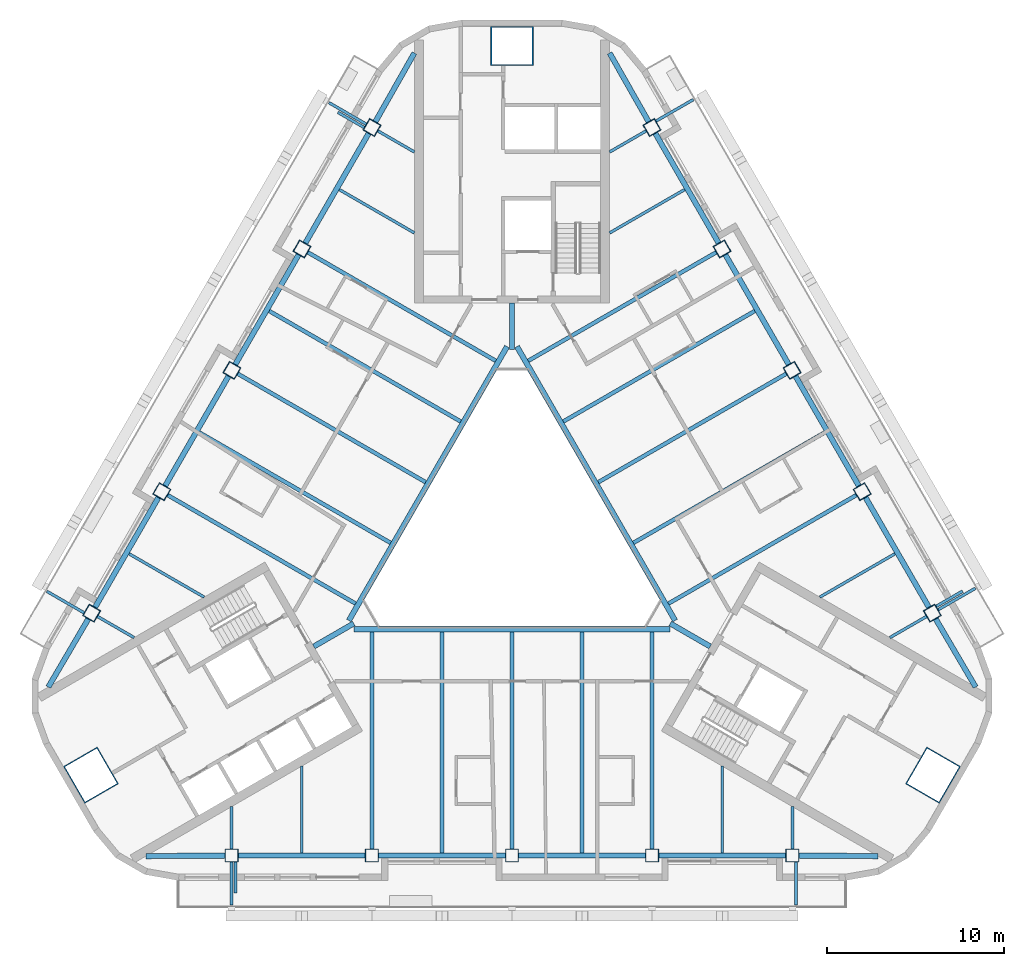
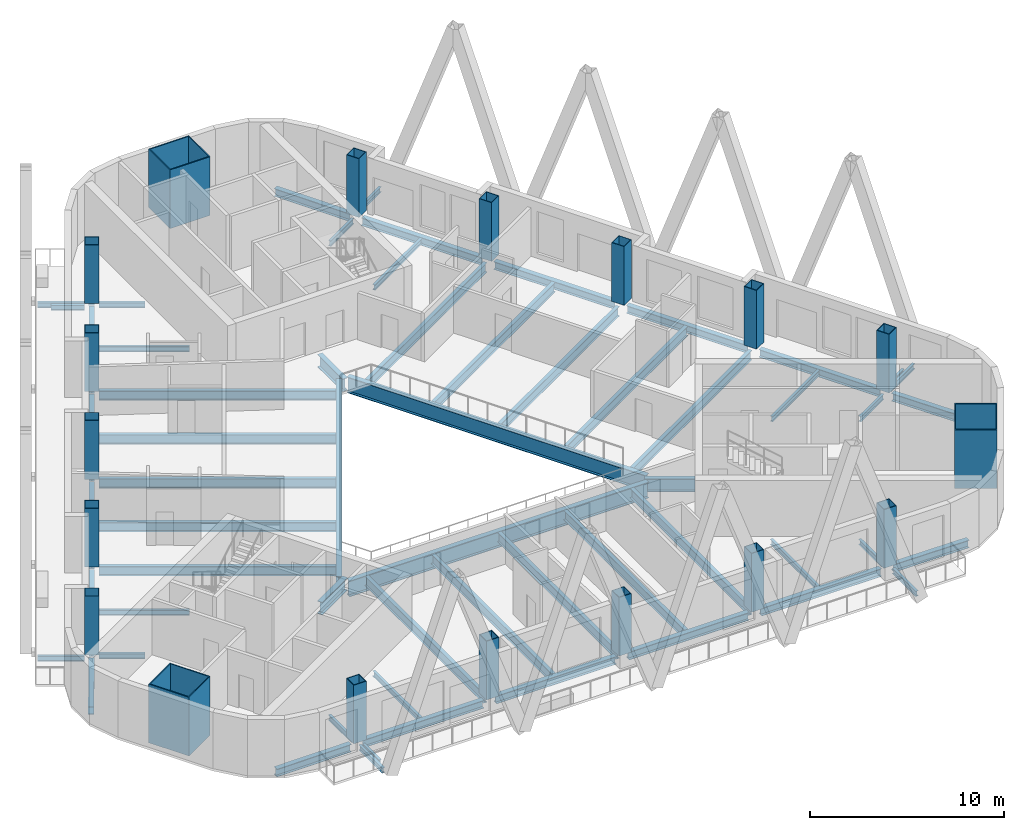
# One storey, part 1 of 13: 60 beams, 18 columns.
"""IFC4 building model written with IfcOpenShell, lengths in metres."""

from ifc_helpers import new_model, si_unit, direction, frame, origin, origin_2d, place, context, subcontext, project, spatial, rectangle, hollow_rectangle, i_section, extrude, material, material_profile, profile_set, type_object, element, save


model = new_model("IFC4")

# Units and contexts
model_context = context("Model", 3, precision=1e-05, world=origin(), true_north=direction((0.0, 1.0)))
body_context = subcontext(model_context, "Body", "Model", "MODEL_VIEW")
ifc_project = project(units=[si_unit("LENGTHUNIT", "METRE"), si_unit("AREAUNIT", "SQUARE_METRE"), si_unit("VOLUMEUNIT", "CUBIC_METRE"), si_unit("PLANEANGLEUNIT", "RADIAN"), si_unit("MASSUNIT", "GRAM", prefix="KILO")], contexts=[model_context])

# Site, building, storey
site_placement = place(None, origin())
site = spatial("IfcSite", under=ifc_project, at=site_placement, CompositionType="ELEMENT")
building_placement = place(site_placement, origin())
building = spatial("IfcBuilding", under=site, at=building_placement, Name="Apuvela Tower Hotel", CompositionType="ELEMENT")
storey_placement = place(building_placement, frame((0.0, 0.0, 191.0)))
storey = spatial("IfcBuildingStorey", under=building, at=storey_placement, Name="L46", CompositionType="ELEMENT", Elevation=191.0)

# Columns
ifc_material_1 = material(Name="Steel S460", Category="steel")
ifc_material_profile_1 = material_profile(ifc_material_1, hollow_rectangle(XDim=2.39990234375, YDim=2.199951171875, WallThickness=0.06005859375, at=origin_2d()), Name="BOX 2400x2200x60")
ifc_material_2 = material(Name="Concrete C80/95", Category="concrete")
ifc_material_profile_2 = material_profile(ifc_material_2, rectangle(XDim=2.280029296875, YDim=2.080078125, at=origin_2d()), Name="Concrete C80/95 infill")
ifc_profile_set_1 = profile_set([ifc_material_profile_1, ifc_material_profile_2], Name="Steel S460")
column_type_1 = type_object("IfcColumnType", Name="STR-MC mega column BOX 2400x2200x60", PredefinedType="COLUMN", material=ifc_profile_set_1)
for number, where, z_axis, x_axis, name in (
    (1, (0.0, 27.39990234375, 0.0), (0.0, 0.0, 1.0), (1.0, 0.0, 0.0), "Mega column MC3 N"),
    (2, (-23.72900390625, -13.699951171875, 0.0), (0.0, 0.0, 1.0), (-0.5, 0.866025403784, 0.0), "Mega column MC3 SW"),
    (3, (23.72900390625, -13.699951171875, 0.0), (0.0, 0.0, 1.0), (0.5, 0.866025403784, 0.0), "Mega column MC3 SE"),
):
    element("IfcColumn", number, at=place(storey_placement, frame(where, z_axis=z_axis, x_axis=x_axis)), inside=storey, type_object=column_type_1, Name=name, PredefinedType="COLUMN", context=body_context, shape_type="SweptSolid", body=[
        extrude(hollow_rectangle(XDim=2.39990234375, YDim=2.199951171875, WallThickness=0.06005859375, at=origin_2d()), origin(), (0.0, 0.0, 1.0), 3.699951171875),
    ])
ifc_material_profile_3 = material_profile(ifc_material_1, hollow_rectangle(XDim=0.75, YDim=0.75, WallThickness=0.034912109375, at=origin_2d()), Name="BOX 750x750x35")
ifc_material_profile_4 = material_profile(ifc_material_2, rectangle(XDim=0.679931640625, YDim=0.679931640625, at=origin_2d()), Name="Concrete C80/95 infill")
ifc_profile_set_2 = profile_set([ifc_material_profile_3, ifc_material_profile_4], Name="Steel S460")
column_type_2 = type_object("IfcColumnType", Name="STR-PC perimeter column BOX 750x750x35", PredefinedType="COLUMN", material=ifc_profile_set_2)
for number, where, z_axis, x_axis, name in (
    (4, (-15.800048828125, -18.22998046875, 0.0), (0.0, 0.0, 1.0), (-1.0, 0.0, 0.0), "Perimeter column C5 S1"),
    (5, (-7.89990234375, -18.22998046875, 0.0), (0.0, 0.0, 1.0), (-1.0, 0.0, 0.0), "Perimeter column C5 S2"),
    (6, (0.0, -18.22998046875, 0.0), (0.0, 0.0, 1.0), (-1.0, 0.0, 0.0), "Perimeter column C5 S3"),
    (7, (7.89990234375, -18.22998046875, 0.0), (0.0, 0.0, 1.0), (-1.0, 0.0, 0.0), "Perimeter column C5 S4"),
    (8, (15.800048828125, -18.22998046875, 0.0), (0.0, 0.0, 1.0), (-1.0, 0.0, 0.0), "Perimeter column C5 S5"),
    (9, (23.6875, -4.568115234375, 0.0), (0.0, 0.0, 1.0), (-0.5, 0.866025403784, 0.0), "Perimeter column C5 NE1"),
    (10, (19.737548828125, 2.2734375, 0.0), (0.0, 0.0, 1.0), (-0.5, 0.866025403784, 0.0), "Perimeter column C5 NE2"),
    (11, (15.78759765625, 9.114990234375, 0.0), (0.0, 0.0, 1.0), (-0.5, 0.866025403784, 0.0), "Perimeter column C5 NE3"),
    (12, (11.837646484375, 15.95654296875, 0.0), (0.0, 0.0, 1.0), (-0.5, 0.866025403784, 0.0), "Perimeter column C5 NE4"),
    (13, (7.8876953125, 22.798095703125, 0.0), (0.0, 0.0, 1.0), (-0.5, 0.866025403784, 0.0), "Perimeter column C5 NE5"),
    (14, (-7.8876953125, 22.798095703125, 0.0), (0.0, 0.0, 1.0), (0.5, 0.866025403784, 0.0), "Perimeter column C5 NW1"),
    (15, (-11.837646484375, 15.95654296875, 0.0), (0.0, 0.0, 1.0), (0.5, 0.866025403784, 0.0), "Perimeter column C5 NW2"),
    (16, (-15.78759765625, 9.114990234375, 0.0), (0.0, 0.0, 1.0), (0.5, 0.866025403784, 0.0), "Perimeter column C5 NW3"),
    (17, (-19.737548828125, 2.2734375, 0.0), (0.0, 0.0, 1.0), (0.5, 0.866025403784, 0.0), "Perimeter column C5 NW4"),
    (18, (-23.6875, -4.568115234375, 0.0), (0.0, 0.0, 1.0), (0.5, 0.866025403784, 0.0), "Perimeter column C5 NW5"),
):
    element("IfcColumn", number, at=place(storey_placement, frame(where, z_axis=z_axis, x_axis=x_axis)), inside=storey, type_object=column_type_2, Name=name, PredefinedType="COLUMN", context=body_context, shape_type="SweptSolid", body=[
        extrude(hollow_rectangle(XDim=0.75, YDim=0.75, WallThickness=0.034912109375, at=origin_2d()), origin(), (0.0, 0.0, 1.0), 3.699951171875),
    ])

# Beams
ifc_material_3 = material(Name="Steel S355", Category="steel")
ifc_material_profile_5 = material_profile(ifc_material_3, i_section(OverallWidth=0.159912109375, OverallDepth=0.330078125, WebThickness=0.007568359375, FlangeThickness=0.011474609375, at=origin_2d()), Name="IPE 330")
ifc_profile_set_3 = profile_set([ifc_material_profile_5], Name="Steel S355")
beam_type_1 = type_object("IfcBeamType", Name="ENV-BALCONY-BEAM-IPE330", PredefinedType="BEAM", material=ifc_profile_set_3)
beam_1_placement = place(storey_placement, frame((-15.800048828125, -18.60498046875, -0.31494140625), z_axis=(0.0, -1.0, 0.0), x_axis=(1.0, 0.0, 0.0)))
element("IfcBeam", 19, at=beam_1_placement, inside=storey, type_object=beam_type_1, Name="Balcony cantilever beam S1 L46", PredefinedType="BEAM", context=body_context, shape_type="SweptSolid", body=[
    extrude(i_section(OverallWidth=0.159912109375, OverallDepth=0.330078125, WebThickness=0.007568359375, FlangeThickness=0.011474609375, at=origin_2d()), origin(), (0.0, 0.0, 1.0), 2.425048828125),
])
beam_2_placement = place(storey_placement, frame((-15.580078125, -18.60498046875, -0.31494140625), z_axis=(0.0, -1.0, 0.0), x_axis=(1.0, 0.0, 0.0)))
element("IfcBeam", 20, at=beam_2_placement, inside=storey, type_object=beam_type_1, Name="Balcony cantilever beam S2 L46", PredefinedType="BEAM", context=body_context, shape_type="SweptSolid", body=[
    extrude(i_section(OverallWidth=0.159912109375, OverallDepth=0.330078125, WebThickness=0.007568359375, FlangeThickness=0.011474609375, at=origin_2d()), origin(), (0.0, 0.0, 1.0), 1.72509765625),
])
for number, where, z_axis, x_axis, name in (
    (21, (16.0, -18.60498046875, -0.31494140625), (0.0, -1.0, 0.0), (1.0, 0.0, 0.0), "Balcony cantilever beam S3 L46"),
    (22, (24.012451171875, -4.380615234375, -0.31494140625), (0.866041403502, 0.499972286653, 0.0), (-0.499972286653, 0.866041403502, 0.0), "Balcony cantilever beam NE1 L46"),
):
    element("IfcBeam", number, at=place(storey_placement, frame(where, z_axis=z_axis, x_axis=x_axis)), inside=storey, type_object=beam_type_1, Name=name, PredefinedType="BEAM", context=body_context, shape_type="SweptSolid", body=[
        extrude(i_section(OverallWidth=0.159912109375, OverallDepth=0.330078125, WebThickness=0.007568359375, FlangeThickness=0.011474609375, at=origin_2d()), origin(), (0.0, 0.0, 1.0), 2.425048828125),
    ])
beam_3_placement = place(storey_placement, frame((23.90234375, -4.190185546875, -0.31494140625), z_axis=(0.866013532718, 0.500020560727, 0.0), x_axis=(-0.500020560727, 0.866013532718, 0.0)))
element("IfcBeam", 23, at=beam_3_placement, inside=storey, type_object=beam_type_1, Name="Balcony cantilever beam NE2 L46", PredefinedType="BEAM", context=body_context, shape_type="SweptSolid", body=[
    extrude(i_section(OverallWidth=0.159912109375, OverallDepth=0.330078125, WebThickness=0.007568359375, FlangeThickness=0.011474609375, at=origin_2d()), origin(), (0.0, 0.0, 1.0), 1.72509765625),
])
for number, where, z_axis, x_axis, name in (
    (24, (8.1123046875, 23.158935546875, -0.31494140625), (0.866041403502, 0.499972286653, 0.0), (-0.499972286653, 0.866041403502, 0.0), "Balcony cantilever beam NE3 L46"),
    (25, (-8.21240234375, 22.985595703125, -0.31494140625), (-0.865997808697, 0.500047793048, 0.0), (-0.500047793048, -0.865997808697, 0.0), "Balcony cantilever beam NW1 L46"),
):
    element("IfcBeam", number, at=place(storey_placement, frame(where, z_axis=z_axis, x_axis=x_axis)), inside=storey, type_object=beam_type_1, Name=name, PredefinedType="BEAM", context=body_context, shape_type="SweptSolid", body=[
        extrude(i_section(OverallWidth=0.159912109375, OverallDepth=0.330078125, WebThickness=0.007568359375, FlangeThickness=0.011474609375, at=origin_2d()), origin(), (0.0, 0.0, 1.0), 2.425048828125),
    ])
beam_4_placement = place(storey_placement, frame((-8.322509765625, 22.795166015625, -0.31494140625), z_axis=(-0.866013532718, 0.500020560727, 0.0), x_axis=(-0.500020560727, -0.866013532718, 0.0)))
element("IfcBeam", 26, at=beam_4_placement, inside=storey, type_object=beam_type_1, Name="Balcony cantilever beam NW2 L46", PredefinedType="BEAM", context=body_context, shape_type="SweptSolid", body=[
    extrude(i_section(OverallWidth=0.159912109375, OverallDepth=0.330078125, WebThickness=0.007568359375, FlangeThickness=0.011474609375, at=origin_2d()), origin(), (0.0, 0.0, 1.0), 1.72509765625),
])
beam_5_placement = place(storey_placement, frame((-24.1123046875, -4.553955078125, -0.31494140625), z_axis=(-0.865997808697, 0.500047793048, 0.0), x_axis=(-0.500047793048, -0.865997808697, 0.0)))
element("IfcBeam", 27, at=beam_5_placement, inside=storey, type_object=beam_type_1, Name="Balcony cantilever beam NW3 L46", PredefinedType="BEAM", context=body_context, shape_type="SweptSolid", body=[
    extrude(i_section(OverallWidth=0.159912109375, OverallDepth=0.330078125, WebThickness=0.007568359375, FlangeThickness=0.011474609375, at=origin_2d()), origin(), (0.0, 0.0, 1.0), 2.425048828125),
])
ifc_material_profile_6 = material_profile(ifc_material_3, i_section(OverallWidth=0.159912109375, OverallDepth=0.330078125, WebThickness=0.007568359375, FlangeThickness=0.011474609375, at=origin_2d()), Name="IPE 330")
ifc_profile_set_4 = profile_set([ifc_material_profile_6], Name="Steel S355")
beam_type_2 = type_object("IfcBeamType", Name="STR-B floor beam IPE 330", PredefinedType="BEAM", material=ifc_profile_set_4)
beam_6_placement = place(storey_placement, frame((23.36279296875, -4.755615234375, -0.31494140625), z_axis=(-0.865982457891, -0.500074377092, 0.0), x_axis=(0.500074377092, -0.865982457891, 0.0)))
element("IfcBeam", 28, at=beam_6_placement, inside=storey, type_object=beam_type_2, Name="Floor beam B1 NE1", PredefinedType="BEAM", context=body_context, shape_type="SweptSolid", body=[
    extrude(i_section(OverallWidth=0.159912109375, OverallDepth=0.330078125, WebThickness=0.007568359375, FlangeThickness=0.011474609375, at=origin_2d()), origin(), (0.0, 0.0, 1.0), 2.382080078125),
])
for number, where, z_axis, x_axis, name in (
    (29, (21.582763671875, -1.222412109375, -0.31494140625), (-0.866015056278, -0.500017921979, 0.0), (0.500017921979, -0.866015056278, 0.0), "Floor beam B1 NE2"),
    (30, (9.732666015625, 19.302490234375, -0.31494140625), (-0.866015056278, -0.500017921979, 0.0), (0.500017921979, -0.866015056278, 0.0), "Floor beam B1 NE8"),
):
    element("IfcBeam", number, at=place(storey_placement, frame(where, z_axis=z_axis, x_axis=x_axis)), inside=storey, type_object=beam_type_2, Name=name, PredefinedType="BEAM", context=body_context, shape_type="SweptSolid", body=[
        extrude(i_section(OverallWidth=0.159912109375, OverallDepth=0.330078125, WebThickness=0.007568359375, FlangeThickness=0.011474609375, at=origin_2d()), origin(), (0.0, 0.0, 1.0), 4.887451171875),
    ])
for number, where, z_axis, x_axis, name in (
    (31, (7.56298828125, 22.610595703125, -0.31494140625), (-0.866052464367, -0.499953126767, 0.0), (0.499953126767, -0.866052464367, 0.0), "Floor beam B1 NE9"),
    (32, (-7.56298828125, 22.610595703125, -0.31494140625), (0.866052464367, -0.499953126767, 0.0), (0.499953126767, 0.866052464367, 0.0), "Floor beam B1 NW1"),
):
    element("IfcBeam", number, at=place(storey_placement, frame(where, z_axis=z_axis, x_axis=x_axis)), inside=storey, type_object=beam_type_2, Name=name, PredefinedType="BEAM", context=body_context, shape_type="SweptSolid", body=[
        extrude(i_section(OverallWidth=0.159912109375, OverallDepth=0.330078125, WebThickness=0.007568359375, FlangeThickness=0.011474609375, at=origin_2d()), origin(), (0.0, 0.0, 1.0), 2.382080078125),
    ])
for number, where, z_axis, x_axis, name in (
    (33, (-9.732666015625, 19.302490234375, -0.31494140625), (0.866015056278, -0.500017921979, 0.0), (0.500017921979, 0.866015056278, 0.0), "Floor beam B1 NW2"),
    (34, (-21.582763671875, -1.222412109375, -0.31494140625), (0.866015056278, -0.500017921979, 0.0), (0.500017921979, 0.866015056278, 0.0), "Floor beam B1 NW8"),
):
    element("IfcBeam", number, at=place(storey_placement, frame(where, z_axis=z_axis, x_axis=x_axis)), inside=storey, type_object=beam_type_2, Name=name, PredefinedType="BEAM", context=body_context, shape_type="SweptSolid", body=[
        extrude(i_section(OverallWidth=0.159912109375, OverallDepth=0.330078125, WebThickness=0.007568359375, FlangeThickness=0.011474609375, at=origin_2d()), origin(), (0.0, 0.0, 1.0), 4.887451171875),
    ])
for number, where, z_axis, x_axis, name in (
    (35, (-23.36279296875, -4.755615234375, -0.31494140625), (0.865982457891, -0.500074377092, 0.0), (0.500074377092, 0.865982457891, 0.0), "Floor beam B1 NW9"),
    (36, (-15.800048828125, -17.85498046875, -0.31494140625), (0.0, 1.0, 0.0), (-1.0, 0.0, 0.0), "Floor beam B1 S1"),
):
    element("IfcBeam", number, at=place(storey_placement, frame(where, z_axis=z_axis, x_axis=x_axis)), inside=storey, type_object=beam_type_2, Name=name, PredefinedType="BEAM", context=body_context, shape_type="SweptSolid", body=[
        extrude(i_section(OverallWidth=0.159912109375, OverallDepth=0.330078125, WebThickness=0.007568359375, FlangeThickness=0.011474609375, at=origin_2d()), origin(), (0.0, 0.0, 1.0), 2.382080078125),
    ])
for number, where, z_axis, x_axis, name in (
    (37, (-11.85009765625, -18.080078125, -0.31494140625), (0.0, 1.0, 0.0), (-1.0, 0.0, 0.0), "Floor beam B1 S2"),
    (38, (11.85009765625, -18.080078125, -0.31494140625), (0.0, 1.0, 0.0), (-1.0, 0.0, 0.0), "Floor beam B1 S8"),
):
    element("IfcBeam", number, at=place(storey_placement, frame(where, z_axis=z_axis, x_axis=x_axis)), inside=storey, type_object=beam_type_2, Name=name, PredefinedType="BEAM", context=body_context, shape_type="SweptSolid", body=[
        extrude(i_section(OverallWidth=0.159912109375, OverallDepth=0.330078125, WebThickness=0.007568359375, FlangeThickness=0.011474609375, at=origin_2d()), origin(), (0.0, 0.0, 1.0), 4.8876953125),
    ])
beam_7_placement = place(storey_placement, frame((15.800048828125, -17.85498046875, -0.31494140625), z_axis=(0.0, 1.0, 0.0), x_axis=(-1.0, 0.0, 0.0)))
element("IfcBeam", 39, at=beam_7_placement, inside=storey, type_object=beam_type_2, Name="Floor beam B1 S9", PredefinedType="BEAM", context=body_context, shape_type="SweptSolid", body=[
    extrude(i_section(OverallWidth=0.159912109375, OverallDepth=0.330078125, WebThickness=0.007568359375, FlangeThickness=0.011474609375, at=origin_2d()), origin(), (0.0, 0.0, 1.0), 2.382080078125),
])
ifc_material_profile_7 = material_profile(ifc_material_3, i_section(OverallWidth=0.219970703125, OverallDepth=0.60009765625, WebThickness=0.011962890625, FlangeThickness=0.01904296875, at=origin_2d()), Name="IPE 600")
ifc_profile_set_5 = profile_set([ifc_material_profile_7], Name="Steel S355")
beam_type_3 = type_object("IfcBeamType", Name="STR-B floor beam IPE 600", PredefinedType="BEAM", material=ifc_profile_set_5)
beam_8_placement = place(storey_placement, frame((19.412841796875, 2.0859375, -0.449951171875), z_axis=(-0.866025418325, -0.499999974815, 0.0), x_axis=(0.499999974815, -0.866025418325, 0.0)))
element("IfcBeam", 40, at=beam_8_placement, inside=storey, type_object=beam_type_3, Name="Floor beam B8 NE3", PredefinedType="BEAM", context=body_context, shape_type="SweptSolid", body=[
    extrude(i_section(OverallWidth=0.219970703125, OverallDepth=0.60009765625, WebThickness=0.011962890625, FlangeThickness=0.01904296875, at=origin_2d()), origin(), (0.0, 0.0, 1.0), 12.23486328125),
])
beam_9_placement = place(storey_placement, frame((17.6328125, 5.619140625, -0.449951171875), z_axis=(-0.866027987673, -0.499995524547, 0.0), x_axis=(0.499995524547, -0.866027987673, 0.0)))
element("IfcBeam", 41, at=beam_9_placement, inside=storey, type_object=beam_type_3, Name="Floor beam B8 NE4", PredefinedType="BEAM", context=body_context, shape_type="SweptSolid", body=[
    extrude(i_section(OverallWidth=0.219970703125, OverallDepth=0.60009765625, WebThickness=0.011962890625, FlangeThickness=0.01904296875, at=origin_2d()), origin(), (0.0, 0.0, 1.0), 12.4599609375),
])
beam_10_placement = place(storey_placement, frame((15.462890625, 8.927490234375, -0.449951171875), z_axis=(-0.866025418325, -0.499999974815, 0.0), x_axis=(0.499999974815, -0.866025418325, 0.0)))
element("IfcBeam", 42, at=beam_10_placement, inside=storey, type_object=beam_type_3, Name="Floor beam B8 NE5", PredefinedType="BEAM", context=body_context, shape_type="SweptSolid", body=[
    extrude(i_section(OverallWidth=0.219970703125, OverallDepth=0.60009765625, WebThickness=0.011962890625, FlangeThickness=0.01904296875, at=origin_2d()), origin(), (0.0, 0.0, 1.0), 12.23486328125),
])
beam_11_placement = place(storey_placement, frame((13.6826171875, 12.460693359375, -0.449951171875), z_axis=(-0.866023089177, -0.500004008996, 0.0), x_axis=(0.500004008996, -0.866023089177, 0.0)))
element("IfcBeam", 43, at=beam_11_placement, inside=storey, type_object=beam_type_3, Name="Floor beam B8 NE6", PredefinedType="BEAM", context=body_context, shape_type="SweptSolid", body=[
    extrude(i_section(OverallWidth=0.219970703125, OverallDepth=0.60009765625, WebThickness=0.011962890625, FlangeThickness=0.01904296875, at=origin_2d()), origin(), (0.0, 0.0, 1.0), 12.4599609375),
])
for number, where, z_axis, x_axis, name in (
    (44, (11.512939453125, 15.76904296875, -0.449951171875), (-0.866030406821, -0.499991334387, 0.0), (0.499991334387, -0.866030406821, 0.0), "Floor beam B8 NE7"),
    (45, (-11.512939453125, 15.76904296875, -0.449951171875), (0.866030406821, -0.499991334387, 0.0), (0.499991334387, 0.866030406821, 0.0), "Floor beam B8 NW3"),
):
    element("IfcBeam", number, at=place(storey_placement, frame(where, z_axis=z_axis, x_axis=x_axis)), inside=storey, type_object=beam_type_3, Name=name, PredefinedType="BEAM", context=body_context, shape_type="SweptSolid", body=[
        extrude(i_section(OverallWidth=0.219970703125, OverallDepth=0.60009765625, WebThickness=0.011962890625, FlangeThickness=0.01904296875, at=origin_2d()), origin(), (0.0, 0.0, 1.0), 12.235107421875),
    ])
beam_12_placement = place(storey_placement, frame((-13.6826171875, 12.460693359375, -0.449951171875), z_axis=(0.866023089177, -0.500004008996, 0.0), x_axis=(0.500004008996, 0.866023089177, 0.0)))
element("IfcBeam", 46, at=beam_12_placement, inside=storey, type_object=beam_type_3, Name="Floor beam B8 NW4", PredefinedType="BEAM", context=body_context, shape_type="SweptSolid", body=[
    extrude(i_section(OverallWidth=0.219970703125, OverallDepth=0.60009765625, WebThickness=0.011962890625, FlangeThickness=0.01904296875, at=origin_2d()), origin(), (0.0, 0.0, 1.0), 12.4599609375),
])
beam_13_placement = place(storey_placement, frame((-15.462890625, 8.927490234375, -0.449951171875), z_axis=(0.866025418325, -0.499999974815, 0.0), x_axis=(0.499999974815, 0.866025418325, 0.0)))
element("IfcBeam", 47, at=beam_13_placement, inside=storey, type_object=beam_type_3, Name="Floor beam B8 NW5", PredefinedType="BEAM", context=body_context, shape_type="SweptSolid", body=[
    extrude(i_section(OverallWidth=0.219970703125, OverallDepth=0.60009765625, WebThickness=0.011962890625, FlangeThickness=0.01904296875, at=origin_2d()), origin(), (0.0, 0.0, 1.0), 12.23486328125),
])
beam_14_placement = place(storey_placement, frame((-17.6328125, 5.619140625, -0.449951171875), z_axis=(0.866027987673, -0.499995524547, 0.0), x_axis=(0.499995524547, 0.866027987673, 0.0)))
element("IfcBeam", 48, at=beam_14_placement, inside=storey, type_object=beam_type_3, Name="Floor beam B8 NW6", PredefinedType="BEAM", context=body_context, shape_type="SweptSolid", body=[
    extrude(i_section(OverallWidth=0.219970703125, OverallDepth=0.60009765625, WebThickness=0.011962890625, FlangeThickness=0.01904296875, at=origin_2d()), origin(), (0.0, 0.0, 1.0), 12.4599609375),
])
for number, where, z_axis, x_axis, name in (
    (49, (-19.412841796875, 2.0859375, -0.449951171875), (0.866025418325, -0.499999974815, 0.0), (0.499999974815, 0.866025418325, 0.0), "Floor beam B8 NW7"),
    (50, (-7.89990234375, -17.85498046875, -0.449951171875), (0.0, 1.0, 0.0), (-1.0, 0.0, 0.0), "Floor beam B8 S3"),
):
    element("IfcBeam", number, at=place(storey_placement, frame(where, z_axis=z_axis, x_axis=x_axis)), inside=storey, type_object=beam_type_3, Name=name, PredefinedType="BEAM", context=body_context, shape_type="SweptSolid", body=[
        extrude(i_section(OverallWidth=0.219970703125, OverallDepth=0.60009765625, WebThickness=0.011962890625, FlangeThickness=0.01904296875, at=origin_2d()), origin(), (0.0, 0.0, 1.0), 12.23486328125),
    ])
beam_15_placement = place(storey_placement, frame((-3.949951171875, -18.080078125, -0.449951171875), z_axis=(0.0, 1.0, 0.0), x_axis=(-1.0, 0.0, 0.0)))
element("IfcBeam", 51, at=beam_15_placement, inside=storey, type_object=beam_type_3, Name="Floor beam B8 S4", PredefinedType="BEAM", context=body_context, shape_type="SweptSolid", body=[
    extrude(i_section(OverallWidth=0.219970703125, OverallDepth=0.60009765625, WebThickness=0.011962890625, FlangeThickness=0.01904296875, at=origin_2d()), origin(), (0.0, 0.0, 1.0), 12.4599609375),
])
beam_16_placement = place(storey_placement, frame((0.0, -17.85498046875, -0.449951171875), z_axis=(0.0, 1.0, 0.0), x_axis=(-1.0, 0.0, 0.0)))
element("IfcBeam", 52, at=beam_16_placement, inside=storey, type_object=beam_type_3, Name="Floor beam B8 S5", PredefinedType="BEAM", context=body_context, shape_type="SweptSolid", body=[
    extrude(i_section(OverallWidth=0.219970703125, OverallDepth=0.60009765625, WebThickness=0.011962890625, FlangeThickness=0.01904296875, at=origin_2d()), origin(), (0.0, 0.0, 1.0), 12.23486328125),
])
beam_17_placement = place(storey_placement, frame((3.949951171875, -18.080078125, -0.449951171875), z_axis=(0.0, 1.0, 0.0), x_axis=(-1.0, 0.0, 0.0)))
element("IfcBeam", 53, at=beam_17_placement, inside=storey, type_object=beam_type_3, Name="Floor beam B8 S6", PredefinedType="BEAM", context=body_context, shape_type="SweptSolid", body=[
    extrude(i_section(OverallWidth=0.219970703125, OverallDepth=0.60009765625, WebThickness=0.011962890625, FlangeThickness=0.01904296875, at=origin_2d()), origin(), (0.0, 0.0, 1.0), 12.4599609375),
])
beam_18_placement = place(storey_placement, frame((7.89990234375, -17.85498046875, -0.449951171875), z_axis=(0.0, 1.0, 0.0), x_axis=(-1.0, 0.0, 0.0)))
element("IfcBeam", 54, at=beam_18_placement, inside=storey, type_object=beam_type_3, Name="Floor beam B8 S7", PredefinedType="BEAM", context=body_context, shape_type="SweptSolid", body=[
    extrude(i_section(OverallWidth=0.219970703125, OverallDepth=0.60009765625, WebThickness=0.011962890625, FlangeThickness=0.01904296875, at=origin_2d()), origin(), (0.0, 0.0, 1.0), 12.23486328125),
])
ifc_material_profile_8 = material_profile(ifc_material_3, i_section(OverallWidth=0.300048828125, OverallDepth=1.0, WebThickness=0.01904296875, FlangeThickness=0.035888671875, at=origin_2d()), Name="HE 1000 B")
ifc_profile_set_6 = profile_set([ifc_material_profile_8], Name="Steel S355")
beam_type_4 = type_object("IfcBeamType", Name="STR-G atrium ring girder HE 1000 B", PredefinedType="BEAM", material=ifc_profile_set_6)
beam_19_placement = place(storey_placement, frame((-0.27978515625, 10.455078125, -0.64990234375), z_axis=(-0.500006541319, -0.866021627119, 0.0), x_axis=(0.866021627119, -0.500006541319, 0.0)))
element("IfcBeam", 55, at=beam_19_placement, inside=storey, type_object=beam_type_4, Name="Atrium ring girder G2 N-SW", PredefinedType="BEAM", context=body_context, shape_type="SweptSolid", body=[
    extrude(i_section(OverallWidth=0.300048828125, OverallDepth=1.0, WebThickness=0.01904296875, FlangeThickness=0.035888671875, at=origin_2d()), origin(), (0.0, 0.0, 1.0), 17.828857421875),
])
beam_20_placement = place(storey_placement, frame((-8.91455078125, -5.469970703125, -0.64990234375), z_axis=(1.0, 0.0, 0.0), x_axis=(0.0, 1.0, 0.0)))
element("IfcBeam", 56, at=beam_20_placement, inside=storey, type_object=beam_type_4, Name="Atrium ring girder G2 SW-SE", PredefinedType="BEAM", context=body_context, shape_type="SweptSolid", body=[
    extrude(i_section(OverallWidth=0.300048828125, OverallDepth=1.0, WebThickness=0.01904296875, FlangeThickness=0.035888671875, at=origin_2d()), origin(), (0.0, 0.0, 1.0), 17.8291015625),
])
beam_21_placement = place(storey_placement, frame((9.1943359375, -4.985107421875, -0.64990234375), z_axis=(-0.500006541319, 0.866021627119, 0.0), x_axis=(-0.866021627119, -0.500006541319, 0.0)))
element("IfcBeam", 57, at=beam_21_placement, inside=storey, type_object=beam_type_4, Name="Atrium ring girder G2 SE-N", PredefinedType="BEAM", context=body_context, shape_type="SweptSolid", body=[
    extrude(i_section(OverallWidth=0.300048828125, OverallDepth=1.0, WebThickness=0.01904296875, FlangeThickness=0.035888671875, at=origin_2d()), origin(), (0.0, 0.0, 1.0), 17.828857421875),
])
ifc_material_profile_9 = material_profile(ifc_material_3, i_section(OverallWidth=0.300048828125, OverallDepth=0.800048828125, WebThickness=0.017578125, FlangeThickness=0.032958984375, at=origin_2d()), Name="HE 800 B")
ifc_profile_set_7 = profile_set([ifc_material_profile_9], Name="Steel S355")
beam_type_5 = type_object("IfcBeamType", Name="STR-GT core tie beam HE 800 B", PredefinedType="BEAM", material=ifc_profile_set_7)
for number, where, z_axis, x_axis, name in (
    (58, (0.0, 12.89990234375, -0.550048828125), (0.0, -1.0, 0.0), (1.0, 0.0, 0.0), "Core tie beam GT1 N"),
    (59, (-11.171630859375, -6.449951171875, -0.550048828125), (0.865997922154, 0.500047596559, 0.0), (-0.500047596559, 0.865997922154, 0.0), "Core tie beam GT1 SW"),
    (60, (11.171630859375, -6.449951171875, -0.550048828125), (-0.865997922154, 0.500047596559, 0.0), (-0.500047596559, -0.865997922154, 0.0), "Core tie beam GT1 SE"),
):
    element("IfcBeam", number, at=place(storey_placement, frame(where, z_axis=z_axis, x_axis=x_axis)), inside=storey, type_object=beam_type_5, Name=name, PredefinedType="BEAM", context=body_context, shape_type="SweptSolid", body=[
        extrude(i_section(OverallWidth=0.300048828125, OverallDepth=0.800048828125, WebThickness=0.017578125, FlangeThickness=0.032958984375, at=origin_2d()), origin(), (0.0, 0.0, 1.0), 2.599853515625),
    ])
ifc_material_profile_10 = material_profile(ifc_material_3, i_section(OverallWidth=0.300048828125, OverallDepth=0.489990234375, WebThickness=0.011962890625, FlangeThickness=0.02294921875, at=origin_2d()), Name="HE 500 A")
ifc_profile_set_8 = profile_set([ifc_material_profile_10], Name="Steel S355")
beam_type_6 = type_object("IfcBeamType", Name="STR-SB spandrel beam HE 500 A", PredefinedType="SPANDREL", material=ifc_profile_set_8)
beam_22_placement = place(storey_placement, frame((-15.425048828125, -18.22998046875, -0.39501953125), z_axis=(1.0, 0.0, 0.0), x_axis=(0.0, 1.0, 0.0)))
element("IfcBeam", 61, at=beam_22_placement, inside=storey, type_object=beam_type_6, Name="Spandrel beam SB3 S1", PredefinedType="SPANDREL", context=body_context, shape_type="SweptSolid", body=[
    extrude(i_section(OverallWidth=0.300048828125, OverallDepth=0.489990234375, WebThickness=0.011962890625, FlangeThickness=0.02294921875, at=origin_2d()), origin(), (0.0, 0.0, 1.0), 7.150146484375),
])
for number, where, z_axis, x_axis, name in (
    (62, (-7.52490234375, -18.22998046875, -0.39501953125), (1.0, 0.0, 0.0), (0.0, 1.0, 0.0), "Spandrel beam SB3 S2"),
    (63, (0.375, -18.22998046875, -0.39501953125), (1.0, 0.0, 0.0), (0.0, 1.0, 0.0), "Spandrel beam SB3 S3"),
):
    element("IfcBeam", number, at=place(storey_placement, frame(where, z_axis=z_axis, x_axis=x_axis)), inside=storey, type_object=beam_type_6, Name=name, PredefinedType="SPANDREL", context=body_context, shape_type="SweptSolid", body=[
        extrude(i_section(OverallWidth=0.300048828125, OverallDepth=0.489990234375, WebThickness=0.011962890625, FlangeThickness=0.02294921875, at=origin_2d()), origin(), (0.0, 0.0, 1.0), 7.14990234375),
    ])
beam_23_placement = place(storey_placement, frame((8.27490234375, -18.22998046875, -0.39501953125), z_axis=(1.0, 0.0, 0.0), x_axis=(0.0, 1.0, 0.0)))
element("IfcBeam", 64, at=beam_23_placement, inside=storey, type_object=beam_type_6, Name="Spandrel beam SB3 S4", PredefinedType="SPANDREL", context=body_context, shape_type="SweptSolid", body=[
    extrude(i_section(OverallWidth=0.300048828125, OverallDepth=0.489990234375, WebThickness=0.011962890625, FlangeThickness=0.02294921875, at=origin_2d()), origin(), (0.0, 0.0, 1.0), 7.150146484375),
])
beam_24_placement = place(storey_placement, frame((23.5, -4.243408203125, -0.39501953125), z_axis=(-0.500006209673, 0.866021818598, 0.0), x_axis=(-0.866021818598, -0.500006209673, 0.0)))
element("IfcBeam", 65, at=beam_24_placement, inside=storey, type_object=beam_type_6, Name="Spandrel beam SB3 NE1", PredefinedType="SPANDREL", context=body_context, shape_type="SweptSolid", body=[
    extrude(i_section(OverallWidth=0.300048828125, OverallDepth=0.489990234375, WebThickness=0.011962890625, FlangeThickness=0.02294921875, at=origin_2d()), origin(), (0.0, 0.0, 1.0), 7.14990234375),
])
for number, where, z_axis, x_axis, name in (
    (66, (19.550048828125, 2.59814453125, -0.39501953125), (-0.499991424076, 0.86603035504, 0.0), (-0.86603035504, -0.499991424076, 0.0), "Spandrel beam SB3 NE2"),
    (67, (15.60009765625, 9.439697265625, -0.39501953125), (-0.499991424076, 0.86603035504, 0.0), (-0.86603035504, -0.499991424076, 0.0), "Spandrel beam SB3 NE3"),
):
    element("IfcBeam", number, at=place(storey_placement, frame(where, z_axis=z_axis, x_axis=x_axis)), inside=storey, type_object=beam_type_6, Name=name, PredefinedType="SPANDREL", context=body_context, shape_type="SweptSolid", body=[
        extrude(i_section(OverallWidth=0.300048828125, OverallDepth=0.489990234375, WebThickness=0.011962890625, FlangeThickness=0.02294921875, at=origin_2d()), origin(), (0.0, 0.0, 1.0), 7.150146484375),
    ])
for number, where, z_axis, x_axis, name in (
    (68, (11.650146484375, 16.281494140625, -0.39501953125), (-0.500006209673, 0.866021818598, 0.0), (-0.866021818598, -0.500006209673, 0.0), "Spandrel beam SB3 NE4"),
    (69, (-8.0751953125, 22.473388671875, -0.39501953125), (-0.500006209673, -0.866021818598, 0.0), (0.866021818598, -0.500006209673, 0.0), "Spandrel beam SB3 NW1"),
):
    element("IfcBeam", number, at=place(storey_placement, frame(where, z_axis=z_axis, x_axis=x_axis)), inside=storey, type_object=beam_type_6, Name=name, PredefinedType="SPANDREL", context=body_context, shape_type="SweptSolid", body=[
        extrude(i_section(OverallWidth=0.300048828125, OverallDepth=0.489990234375, WebThickness=0.011962890625, FlangeThickness=0.02294921875, at=origin_2d()), origin(), (0.0, 0.0, 1.0), 7.14990234375),
    ])
for number, where, z_axis, x_axis, name in (
    (70, (-12.025146484375, 15.6318359375, -0.39501953125), (-0.499991424076, -0.86603035504, 0.0), (0.86603035504, -0.499991424076, 0.0), "Spandrel beam SB3 NW2"),
    (71, (-15.97509765625, 8.790283203125, -0.39501953125), (-0.499991424076, -0.86603035504, 0.0), (0.86603035504, -0.499991424076, 0.0), "Spandrel beam SB3 NW3"),
):
    element("IfcBeam", number, at=place(storey_placement, frame(where, z_axis=z_axis, x_axis=x_axis)), inside=storey, type_object=beam_type_6, Name=name, PredefinedType="SPANDREL", context=body_context, shape_type="SweptSolid", body=[
        extrude(i_section(OverallWidth=0.300048828125, OverallDepth=0.489990234375, WebThickness=0.011962890625, FlangeThickness=0.02294921875, at=origin_2d()), origin(), (0.0, 0.0, 1.0), 7.150146484375),
    ])
beam_25_placement = place(storey_placement, frame((-19.925048828125, 1.948486328125, -0.39501953125), z_axis=(-0.500006209673, -0.866021818598, 0.0), x_axis=(0.866021818598, -0.500006209673, 0.0)))
element("IfcBeam", 72, at=beam_25_placement, inside=storey, type_object=beam_type_6, Name="Spandrel beam SB3 NW4", PredefinedType="SPANDREL", context=body_context, shape_type="SweptSolid", body=[
    extrude(i_section(OverallWidth=0.300048828125, OverallDepth=0.489990234375, WebThickness=0.011962890625, FlangeThickness=0.02294921875, at=origin_2d()), origin(), (0.0, 0.0, 1.0), 7.14990234375),
])
for number, where, z_axis, x_axis, name in (
    (73, (-16.175048828125, -18.232666015625, -0.39501953125), (-0.999976567383, -0.006845778571, 0.0), (0.006845778571, -0.999976567383, 0.0), "Spandrel beam SB3 S1-SW"),
    (74, (16.175048828125, -18.232666015625, -0.39501953125), (0.999976567383, -0.006845778571, 0.0), (0.006845778571, 0.999976567383, 0.0), "Spandrel beam SB3 S5-SE"),
    (75, (23.87744140625, -4.8916015625, -0.39501953125), (0.505933122104, -0.862572707636, 0.0), (0.862572707636, 0.505933122104, 0.0), "Spandrel beam SB3 NE1-SE"),
    (76, (7.702392578125, 23.124267578125, -0.39501953125), (-0.494055513212, 0.869430359411, 0.0), (-0.869430359411, -0.494055513212, 0.0), "Spandrel beam SB3 NE5-N"),
    (77, (-7.702392578125, 23.124267578125, -0.39501953125), (0.494055513212, 0.869430359411, 0.0), (-0.869430359411, 0.494055513212, 0.0), "Spandrel beam SB3 NW1-N"),
    (78, (-23.87744140625, -4.8916015625, -0.39501953125), (-0.505933122104, -0.862572707636, 0.0), (0.862572707636, -0.505933122104, 0.0), "Spandrel beam SB3 NW5-SW"),
):
    element("IfcBeam", number, at=place(storey_placement, frame(where, z_axis=z_axis, x_axis=x_axis)), inside=storey, type_object=beam_type_6, Name=name, PredefinedType="SPANDREL", context=body_context, shape_type="SweptSolid", body=[
        extrude(i_section(OverallWidth=0.300048828125, OverallDepth=0.489990234375, WebThickness=0.011962890625, FlangeThickness=0.02294921875, at=origin_2d()), origin(), (0.0, 0.0, 1.0), 4.457763671875),
    ])

save(model, "model.ifc")
